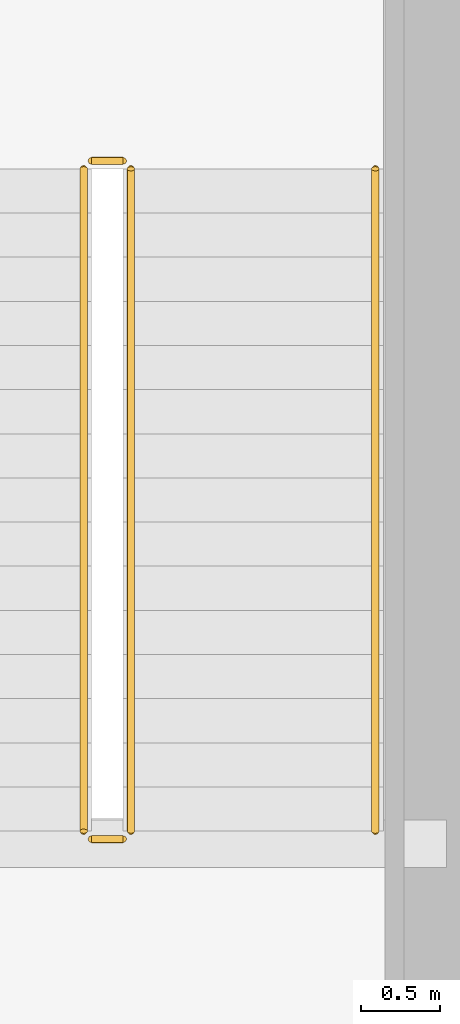
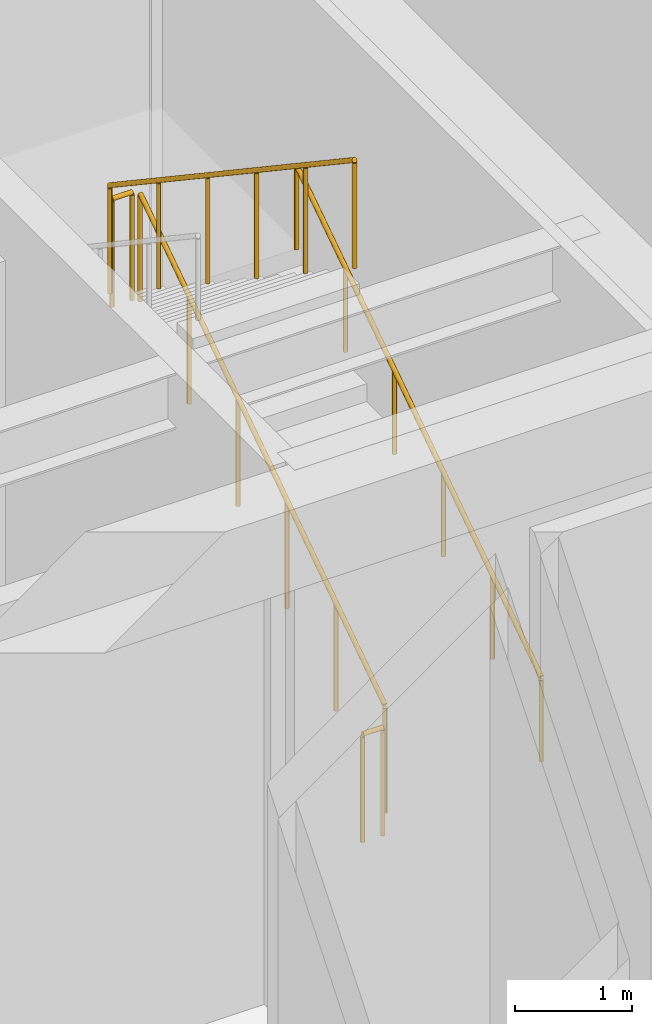
# One storey, part 29 of 30: 5 railings.
"""IFC4 building model written with IfcOpenShell, lengths in metres."""

from ifc_helpers import new_model, si_unit, direction, frame, origin, origin_2d, place, context, subcontext, project, spatial, circle, extrude, source, transform, mapped, material, type_object, type_shapes, element, save


model = new_model("IFC4")

# Units and contexts
model_context = context("Model", 3, precision=1e-05, world=origin(), true_north=direction((0.0, 1.0)))
body_context = subcontext(model_context, "Body", "Model", "MODEL_VIEW")
ifc_project = project(units=[si_unit("LENGTHUNIT", "METRE"), si_unit("AREAUNIT", "SQUARE_METRE"), si_unit("VOLUMEUNIT", "CUBIC_METRE"), si_unit("PLANEANGLEUNIT", "RADIAN"), si_unit("MASSUNIT", "GRAM", prefix="KILO")], contexts=[model_context])

# Site, building, storey
site_placement = place(None, origin())
site = spatial("IfcSite", under=ifc_project, at=site_placement, CompositionType="ELEMENT")
building_placement = place(site_placement, origin())
building = spatial("IfcBuilding", under=site, at=building_placement, Name="Haelvirn Gate Laboratories", CompositionType="ELEMENT")
storey_placement = place(building_placement, frame((0.0, 0.0, 291.60009765625)))
storey = spatial("IfcBuildingStorey", under=building, at=storey_placement, Name="L70", CompositionType="ELEMENT", Elevation=291.60009765625)

# Railings
ifc_material_1 = material(Name="Galvanised steel SM355 & stainless top rail", Category="steel")
railing_type_1 = type_object("IfcRailingType", Name="RL-GUARD-1150", PredefinedType="GUARDRAIL", material=ifc_material_1)
shared_shape_1 = source(origin(), body_context, "Body", "SweptSolid", [
    extrude(circle(Radius=0.02392578125, at=origin_2d()), frame((0.0, 0.0, 1.1259765625), z_axis=(0.0, 0.830904186295, 0.556415522067), x_axis=(-1.0, 0.0, 0.0)), (0.0, 0.0, 1.0), 5.0546875),
    extrude(circle(Radius=0.02099609375, at=origin_2d()), origin(), (0.0, 0.0, 1.0), 1.101806640625),
    extrude(circle(Radius=0.02099609375, at=origin_2d()), frame((0.0, 0.840087890625, 0.5625)), (0.0, 0.0, 1.0), 1.101806640625),
    extrude(circle(Radius=0.02099609375, at=origin_2d()), frame((0.0, 1.679931640625, 1.125)), (0.0, 0.0, 1.0), 1.101806640625),
    extrude(circle(Radius=0.02099609375, at=origin_2d()), frame((0.0, 2.52001953125, 1.6875)), (0.0, 0.0, 1.0), 1.101806640625),
    extrude(circle(Radius=0.02099609375, at=origin_2d()), frame((0.0, 3.35986328125, 2.25)), (0.0, 0.0, 1.0), 1.101806640625),
    extrude(circle(Radius=0.02099609375, at=origin_2d()), frame((0.0, 4.199951171875, 2.8125)), (0.0, 0.0, 1.0), 1.101806640625),
])
railing_1_placement = place(storey_placement, frame((65.39990234375, 26.699951171875, 0.1875)))
element("IfcRailing", 1, at=railing_1_placement, inside=storey, type_object=railing_type_1, Name="L70 ST2 stair guard 1", PredefinedType="GUARDRAIL", context=body_context, shape_type="MappedRepresentation", body=[
    mapped(shared_shape_1, transform((0.0, 0.0, 0.0), scale=1.0)),
])
shared_shape_2 = source(origin(), body_context, "Body", "SweptSolid", [
    extrude(circle(Radius=0.02392578125, at=origin_2d()), frame((0.0, 0.0, 1.1259765625), z_axis=(0.0, -0.830904186295, 0.556415522067), x_axis=(1.0, 0.0, 0.0)), (0.0, 0.0, 1.0), 5.0546875),
    extrude(circle(Radius=0.02099609375, at=origin_2d()), origin(), (0.0, 0.0, 1.0), 1.101806640625),
    extrude(circle(Radius=0.02099609375, at=origin_2d()), frame((0.0, -0.840087890625, 0.5625)), (0.0, 0.0, 1.0), 1.101806640625),
    extrude(circle(Radius=0.02099609375, at=origin_2d()), frame((0.0, -1.679931640625, 1.125)), (0.0, 0.0, 1.0), 1.101806640625),
    extrude(circle(Radius=0.02099609375, at=origin_2d()), frame((0.0, -2.52001953125, 1.6875)), (0.0, 0.0, 1.0), 1.101806640625),
    extrude(circle(Radius=0.02099609375, at=origin_2d()), frame((0.0, -3.35986328125, 2.25)), (0.0, 0.0, 1.0), 1.101806640625),
    extrude(circle(Radius=0.02099609375, at=origin_2d()), frame((0.0, -4.199951171875, 2.8125)), (0.0, 0.0, 1.0), 1.101806640625),
])
railing_2_placement = place(storey_placement, frame((65.10009765625, 30.89990234375, 3.1875)))
element("IfcRailing", 2, at=railing_2_placement, inside=storey, type_object=railing_type_1, Name="L70 ST2 stair guard 3", PredefinedType="GUARDRAIL", context=body_context, shape_type="MappedRepresentation", body=[
    mapped(shared_shape_2, transform((0.0, 0.0, 0.0), scale=1.0)),
])
ifc_material_2 = material(Name="Brushed stainless steel 316L", Category="steel")
railing_type_2 = type_object("IfcRailingType", Name="RL-HAND-920", PredefinedType="HANDRAIL", material=ifc_material_2)
shared_shape_3 = source(origin(), body_context, "Body", "SweptSolid", [
    extrude(circle(Radius=0.02392578125, at=origin_2d()), frame((0.0, 0.0, 0.8759765625), z_axis=(0.0, 0.830904186295, 0.556415522067), x_axis=(-1.0, 0.0, 0.0)), (0.0, 0.0, 1.0), 5.0546875),
    extrude(circle(Radius=0.02099609375, at=origin_2d()), origin(), (0.0, 0.0, 1.0), 0.851806640625),
    extrude(circle(Radius=0.02099609375, at=origin_2d()), frame((0.0, 0.840087890625, 0.5625)), (0.0, 0.0, 1.0), 0.851806640625),
    extrude(circle(Radius=0.02099609375, at=origin_2d()), frame((0.0, 1.679931640625, 1.125)), (0.0, 0.0, 1.0), 0.851806640625),
    extrude(circle(Radius=0.02099609375, at=origin_2d()), frame((0.0, 2.52001953125, 1.6875)), (0.0, 0.0, 1.0), 0.851806640625),
    extrude(circle(Radius=0.02099609375, at=origin_2d()), frame((0.0, 3.35986328125, 2.25)), (0.0, 0.0, 1.0), 0.851806640625),
    extrude(circle(Radius=0.02099609375, at=origin_2d()), frame((0.0, 4.199951171875, 2.8125)), (0.0, 0.0, 1.0), 0.851806640625),
])
type_shapes(railing_type_2, [shared_shape_3])
railing_3_placement = place(storey_placement, frame((66.949951171875, 26.699951171875, 0.1875)))
element("IfcRailing", 3, at=railing_3_placement, inside=storey, type_object=railing_type_2, Name="L70 ST2 stair handrail 1", PredefinedType="HANDRAIL", context=body_context, shape_type="MappedRepresentation", body=[
    mapped(shared_shape_3, transform((0.0, 0.0, 0.0), scale=1.0)),
])
shared_shape_4 = source(origin(), body_context, "Body", "SweptSolid", [
    extrude(circle(Radius=0.02392578125, at=origin_2d()), frame((0.0, 0.0, 1.1259765625), z_axis=(-1.0, 0.0, 0.0), x_axis=(0.0, -1.0, 0.0)), (0.0, 0.0, 1.0), 0.2001953125),
    extrude(circle(Radius=0.02099609375, at=origin_2d()), origin(), (0.0, 0.0, 1.0), 1.101806640625),
    extrude(circle(Radius=0.02099609375, at=origin_2d()), frame((-0.2001953125, 0.0, 0.0)), (0.0, 0.0, 1.0), 1.101806640625),
])
type_shapes(railing_type_1, [shared_shape_1, shared_shape_2, shared_shape_4])
for number, where, name in (
    (4, (65.35009765625, 30.949951171875, 3.0), "L70 ST2 stair guard 2"),
    (5, (65.35009765625, 26.64990234375, 0.0), "L70 ST2 stair guard 4"),
):
    element("IfcRailing", number, at=place(storey_placement, frame(where)), inside=storey, type_object=railing_type_1, Name=name, PredefinedType="GUARDRAIL", context=body_context, shape_type="MappedRepresentation", body=[
        mapped(shared_shape_4, transform((0.0, 0.0, 0.0), scale=1.0)),
    ])

save(model, "model.ifc")
